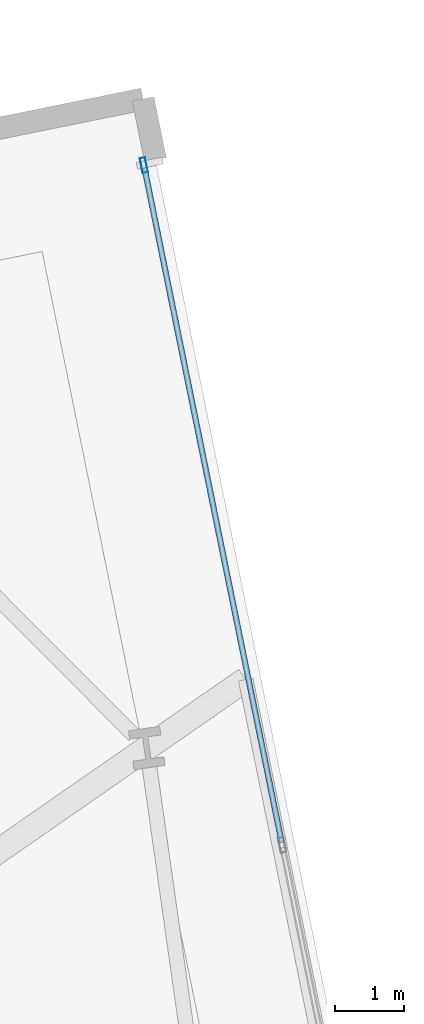
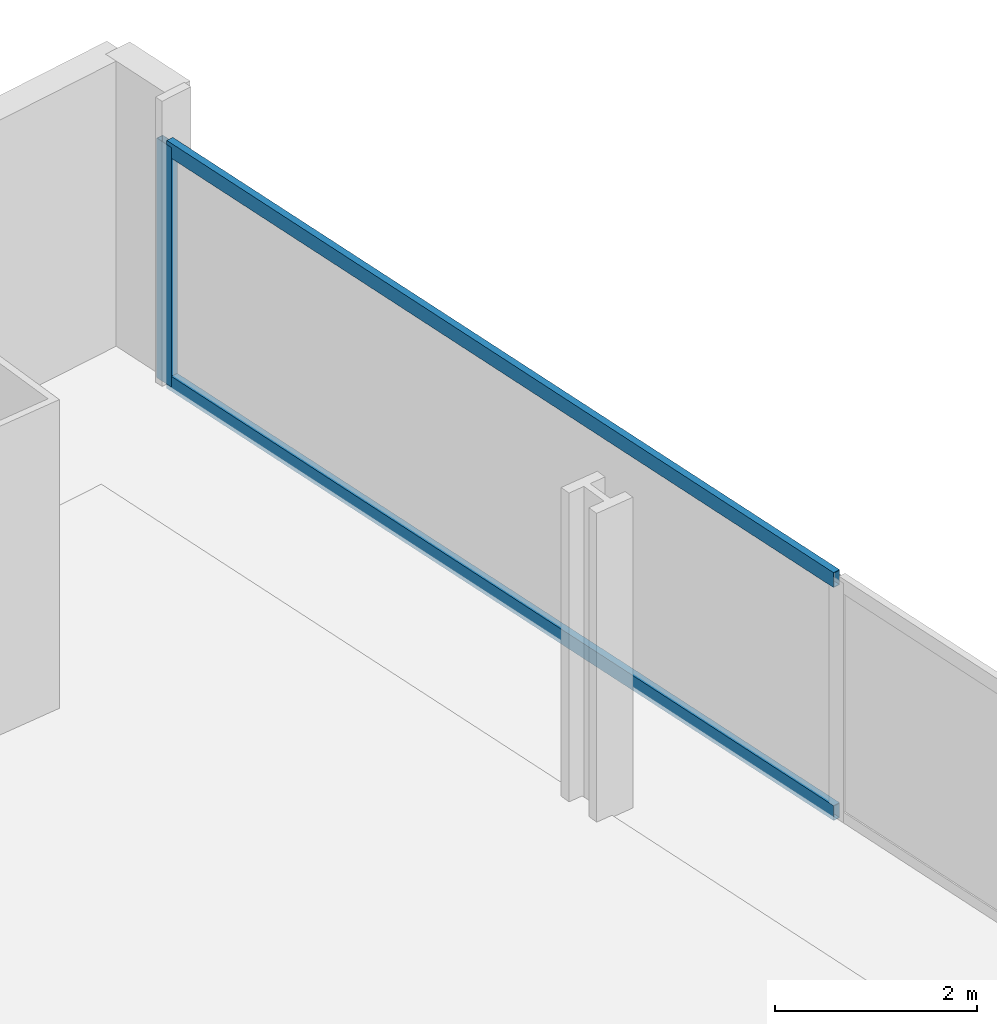
# One storey, part 23 of 33: 3 members, 1 element without a shape of its own.
"""IFC4 building model written with IfcOpenShell, lengths in metres."""

from ifc_helpers import new_model, si_unit, direction, frame, origin, origin_2d, place, context, subcontext, project, spatial, hollow_rectangle, extrude, material, material_profile, profile_set, type_object, element, aggregate, save


model = new_model("IFC4")

# Units and contexts
model_context = context("Model", 3, precision=1e-05, world=origin(), true_north=direction((0.0, 1.0)))
body_context = subcontext(model_context, "Body", "Model", "MODEL_VIEW")
ifc_project = project(units=[si_unit("LENGTHUNIT", "METRE"), si_unit("AREAUNIT", "SQUARE_METRE"), si_unit("VOLUMEUNIT", "CUBIC_METRE"), si_unit("PLANEANGLEUNIT", "RADIAN"), si_unit("MASSUNIT", "GRAM", prefix="KILO")], contexts=[model_context])

# Site, building, storey
site_placement = place(None, origin())
site = spatial("IfcSite", under=ifc_project, at=site_placement, CompositionType="ELEMENT")
building_placement = place(site_placement, origin())
building = spatial("IfcBuilding", under=site, at=building_placement, Name="Haldenkirk Collegiate Tower", CompositionType="ELEMENT")
storey_placement = place(building_placement, frame((0.0, 0.0, 66.449951171875)))
storey = spatial("IfcBuildingStorey", under=building, at=storey_placement, Name="L15", CompositionType="ELEMENT", Elevation=66.449951171875)

# Curtain wall, members
ifc_material = material(Name="Anodised architectural bronze aluminium", Category="aluminium")
curtain_wall_type = type_object("IfcCurtainWallType", Name="CW-SYS1-CONVEX-LOW", PredefinedType="USERDEFINED", material=ifc_material)
curtain_wall_placement = place(storey_placement, origin())
curtain_wall = element("IfcCurtainWall", 1, at=curtain_wall_placement, inside=storey, type_object=curtain_wall_type, Name="L15 Lower tower convex bronze-framed unitised curtain wall", ObjectType="UNITISED CURTAIN WALL", PredefinedType="USERDEFINED")
ifc_material_profile_1 = material_profile(ifc_material, hollow_rectangle(XDim=0.080078125, YDim=0.219970703125, WallThickness=0.0048828125, at=origin_2d()), Name="CW-MUL-1A")
ifc_profile_set_1 = profile_set([ifc_material_profile_1], Name="Anodised architectural bronze aluminium")
member_type_1 = type_object("IfcMemberType", Name="CW-MUL-1A", PredefinedType="MULLION", material=ifc_profile_set_1)
member_1_placement = place(storey_placement, frame((57.849609375, 51.37548828125, 0.0), z_axis=(0.0, 0.0, 1.0), x_axis=(0.979924462932, 0.199369122351, 0.0)))
member_1 = element("IfcMember", 2, at=member_1_placement, type_object=member_type_1, Name="CW-1A mullion 1", PredefinedType="MULLION", context=body_context, shape_type="SweptSolid", body=[
    extrude(hollow_rectangle(XDim=0.080078125, YDim=0.219970703125, WallThickness=0.0048828125, at=origin_2d()), origin(), (0.0, 0.0, 1.0), 2.89111328125),
])
ifc_material_profile_2 = material_profile(ifc_material, hollow_rectangle(XDim=0.080078125, YDim=0.179931640625, WallThickness=0.0048828125, at=origin_2d()), Name="CW-TRN-1A")
ifc_profile_set_2 = profile_set([ifc_material_profile_2], Name="Anodised architectural bronze aluminium")
member_type_2 = type_object("IfcMemberType", Name="CW-TRN-1A", PredefinedType="USERDEFINED", material=ifc_profile_set_2)
member_2_placement = place(storey_placement, frame((57.857666015625, 51.33642578125, 0.0400390625), z_axis=(0.199357079155, -0.979926913086, 0.0), x_axis=(0.979926913086, 0.199357079155, 0.0)))
member_2 = element("IfcMember", 3, at=member_2_placement, type_object=member_type_2, Name="CW-1A transom 1.1", ObjectType="TRANSOM", PredefinedType="USERDEFINED", context=body_context, shape_type="SweptSolid", body=[
    extrude(hollow_rectangle(XDim=0.080078125, YDim=0.179931640625, WallThickness=0.0048828125, at=origin_2d()), origin(), (0.0, 0.0, 1.0), 9.948974609375),
])
member_3_placement = place(storey_placement, frame((57.857666015625, 51.33642578125, 2.85107421875), z_axis=(0.199357079155, -0.979926913086, 0.0), x_axis=(0.979926913086, 0.199357079155, 0.0)))
member_3 = element("IfcMember", 4, at=member_3_placement, type_object=member_type_2, Name="CW-1A transom 1.2", ObjectType="TRANSOM", PredefinedType="USERDEFINED", context=body_context, shape_type="SweptSolid", body=[
    extrude(hollow_rectangle(XDim=0.080078125, YDim=0.179931640625, WallThickness=0.0048828125, at=origin_2d()), origin(), (0.0, 0.0, 1.0), 9.948974609375),
])
aggregate(curtain_wall, [member_1, member_2, member_3])

save(model, "model.ifc")
